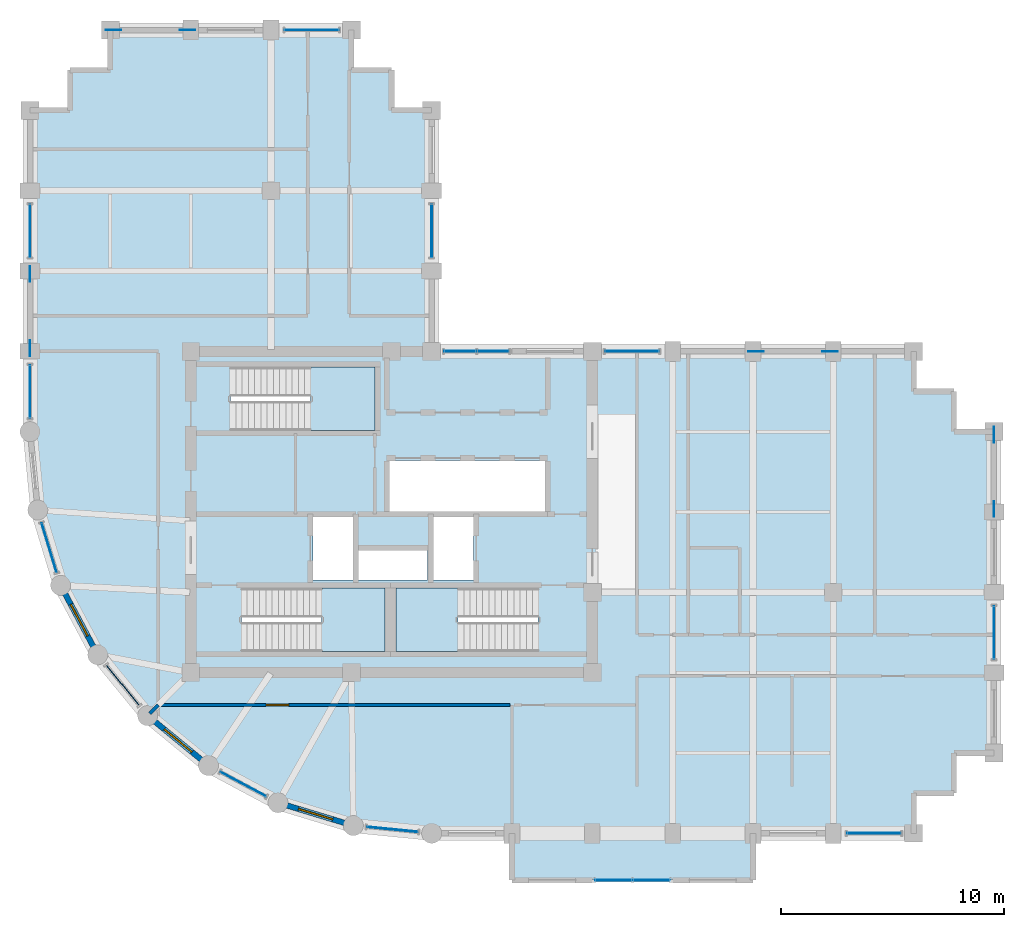
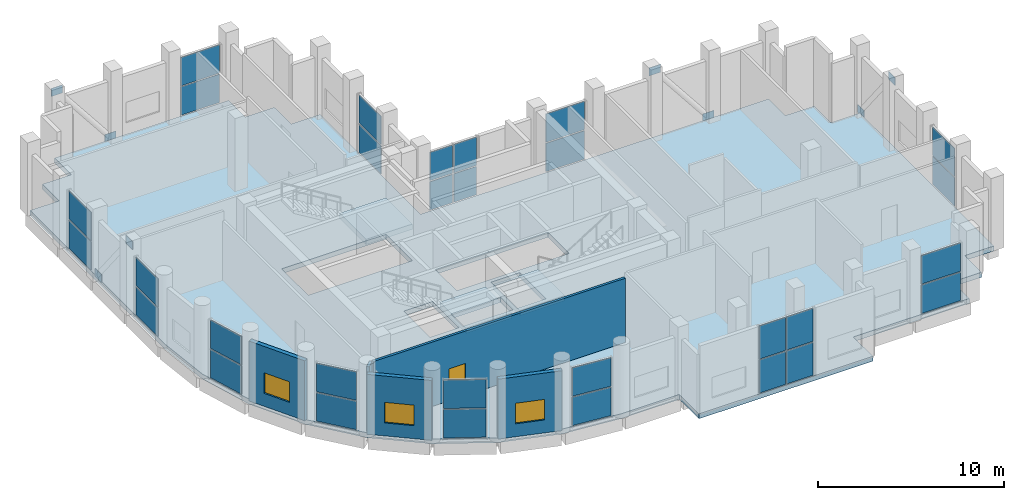
# One storey, part 12 of 16: 38 plates, 5 walls, 4 slabs, 3 windows, 1 door, 4 openings, 16 elements without a shape of their own.
"""IFC4 building model written with IfcOpenShell, lengths in metres."""

from ifc_helpers import new_model, si_unit, direction, frame, frame_2d, origin, origin_2d, place, context, subcontext, project, spatial, polyline, rectangle, outline, extrude, material, layer, layer_set, type_object, element, fill, aggregate, save


model = new_model("IFC4")

# Units and contexts
model_context = context("Model", 3, precision=1e-05, world=origin(), true_north=direction((0.0, 1.0)))
body_context = subcontext(model_context, "Body", "Model", "MODEL_VIEW")
ifc_project = project(units=[si_unit("LENGTHUNIT", "METRE"), si_unit("AREAUNIT", "SQUARE_METRE"), si_unit("VOLUMEUNIT", "CUBIC_METRE"), si_unit("PLANEANGLEUNIT", "RADIAN"), si_unit("MASSUNIT", "GRAM", prefix="KILO")], contexts=[model_context])

# Site, building, storey
site_placement = place(None, origin())
site = spatial("IfcSite", under=ifc_project, at=site_placement, CompositionType="ELEMENT")
building_placement = place(site_placement, origin())
building = spatial("IfcBuilding", under=site, at=building_placement, Name="Solnavia Interchange Tower", CompositionType="ELEMENT")
storey_placement = place(building_placement, frame((0.0, 0.0, 209.0)))
storey = spatial("IfcBuildingStorey", under=building, at=storey_placement, Name="L52", CompositionType="ELEMENT", Elevation=209.0)

# Curtain wall, plates
ifc_material_1 = material(Name="Aluminium Alloy 6063-T6", Category="aluminium")
ifc_layer_1 = layer(ifc_material_1, 0.27001953125)
ifc_layer_set_1 = layer_set([ifc_layer_1], Name="Aluminium Alloy 6063-T6")
curtain_wall_type = type_object("IfcCurtainWallType", Name="CurtainWall-SkyLobby-CTW4", PredefinedType="NOTDEFINED", material=ifc_layer_set_1)
curtain_wall_1_placement = place(storey_placement, origin())
curtain_wall_1 = element("IfcCurtainWall", 1, at=curtain_wall_1_placement, inside=storey, type_object=curtain_wall_type, Name="CTW-L52-S04 CTW-4 curtain wall", PredefinedType="NOTDEFINED")
ifc_material_2 = material(Name="Double-Glazed Low-E IGU Glass", Category="glass")
ifc_layer_2 = layer(ifc_material_2, 0.035888671875)
ifc_layer_set_2 = layer_set([ifc_layer_2], Name="Double-Glazed Low-E IGU Glass")
plate_type_1 = type_object("IfcPlateType", Name="CW-Panel-Acoustic-36", PredefinedType="CURTAIN_PANEL", material=ifc_layer_set_2)
plate_1_placement = place(storey_placement, frame((33.35009765625, 1.5, 0.06982421875), z_axis=(0.0, 0.0, 1.0), x_axis=(1.0, 0.0, 0.0)))
plate_1 = element("IfcPlate", 2, at=plate_1_placement, type_object=plate_type_1, Name="CTW-4 panel 1.1", PredefinedType="CURTAIN_PANEL", context=body_context, shape_type="SweptSolid", body=[
    extrude(rectangle(XDim=1.6201171875, YDim=0.035888671875, at=origin_2d()), origin(), (0.0, 0.0, 1.0), 2.162109375),
])
plate_2_placement = place(storey_placement, frame((33.35009765625, 1.5, 2.302001953125), z_axis=(0.0, 0.0, 1.0), x_axis=(1.0, 0.0, 0.0)))
plate_2 = element("IfcPlate", 3, at=plate_2_placement, type_object=plate_type_1, Name="CTW-4 panel 1.2", PredefinedType="CURTAIN_PANEL", context=body_context, shape_type="SweptSolid", body=[
    extrude(rectangle(XDim=1.6201171875, YDim=0.035888671875, at=origin_2d()), origin(), (0.0, 0.0, 1.0), 2.1630859375),
])
plate_3_placement = place(storey_placement, frame((35.050048828125, 1.5, 0.06982421875), z_axis=(0.0, 0.0, 1.0), x_axis=(1.0, 0.0, 0.0)))
plate_3 = element("IfcPlate", 4, at=plate_3_placement, type_object=plate_type_1, Name="CTW-4 panel 2.1", PredefinedType="CURTAIN_PANEL", context=body_context, shape_type="SweptSolid", body=[
    extrude(rectangle(XDim=1.6201171875, YDim=0.035888671875, at=origin_2d()), origin(), (0.0, 0.0, 1.0), 2.162109375),
])
plate_4_placement = place(storey_placement, frame((35.050048828125, 1.5, 2.302001953125), z_axis=(0.0, 0.0, 1.0), x_axis=(1.0, 0.0, 0.0)))
plate_4 = element("IfcPlate", 5, at=plate_4_placement, type_object=plate_type_1, Name="CTW-4 panel 2.2", PredefinedType="CURTAIN_PANEL", context=body_context, shape_type="SweptSolid", body=[
    extrude(rectangle(XDim=1.6201171875, YDim=0.035888671875, at=origin_2d()), origin(), (0.0, 0.0, 1.0), 2.1630859375),
])
aggregate(curtain_wall_1, [plate_1, plate_2, plate_3, plate_4])

curtain_wall_2_placement = place(storey_placement, origin())
curtain_wall_2 = element("IfcCurtainWall", 6, at=curtain_wall_2_placement, inside=storey, type_object=curtain_wall_type, Name="CTW-L52-S08 CTW-4 curtain wall", PredefinedType="NOTDEFINED")
plate_5_placement = place(storey_placement, frame((45.02490234375, 3.60009765625, 0.06982421875), z_axis=(0.0, 0.0, 1.0), x_axis=(1.0, 0.0, 0.0)))
plate_5 = element("IfcPlate", 7, at=plate_5_placement, type_object=plate_type_1, Name="CTW-4 panel 1.1", PredefinedType="CURTAIN_PANEL", context=body_context, shape_type="SweptSolid", body=[
    extrude(rectangle(XDim=2.409912109375, YDim=0.035888671875, at=origin_2d()), origin(), (0.0, 0.0, 1.0), 1.860107421875),
])
plate_6_placement = place(storey_placement, frame((45.02490234375, 3.60009765625, 2.0), z_axis=(0.0, 0.0, 1.0), x_axis=(1.0, 0.0, 0.0)))
plate_6 = element("IfcPlate", 8, at=plate_6_placement, type_object=plate_type_1, Name="CTW-4 panel 1.2", PredefinedType="CURTAIN_PANEL", context=body_context, shape_type="SweptSolid", body=[
    extrude(rectangle(XDim=2.409912109375, YDim=0.035888671875, at=origin_2d()), origin(), (0.0, 0.0, 1.0), 1.860107421875),
])
aggregate(curtain_wall_2, [plate_5, plate_6])

curtain_wall_3_placement = place(storey_placement, origin())
curtain_wall_3 = element("IfcCurtainWall", 9, at=curtain_wall_3_placement, inside=storey, type_object=curtain_wall_type, Name="CTW-L52-S14 CTW-4 curtain wall", PredefinedType="NOTDEFINED")
plate_7_placement = place(storey_placement, frame((50.39990234375, 12.60009765625, 0.06982421875), z_axis=(0.0, 0.0, 1.0), x_axis=(0.0, 1.0, 0.0)))
plate_7 = element("IfcPlate", 10, at=plate_7_placement, type_object=plate_type_1, Name="CTW-4 panel 1.1", PredefinedType="CURTAIN_PANEL", context=body_context, shape_type="SweptSolid", body=[
    extrude(rectangle(XDim=2.360107421875, YDim=0.035888671875, at=origin_2d()), origin(), (0.0, 0.0, 1.0), 1.860107421875),
])
plate_8_placement = place(storey_placement, frame((50.39990234375, 12.60009765625, 2.0), z_axis=(0.0, 0.0, 1.0), x_axis=(0.0, 1.0, 0.0)))
plate_8 = element("IfcPlate", 11, at=plate_8_placement, type_object=plate_type_1, Name="CTW-4 panel 1.2", PredefinedType="CURTAIN_PANEL", context=body_context, shape_type="SweptSolid", body=[
    extrude(rectangle(XDim=2.360107421875, YDim=0.035888671875, at=origin_2d()), origin(), (0.0, 0.0, 1.0), 1.860107421875),
])
aggregate(curtain_wall_3, [plate_7, plate_8])

curtain_wall_4_placement = place(storey_placement, origin())
curtain_wall_4 = element("IfcCurtainWall", 12, at=curtain_wall_4_placement, inside=storey, type_object=curtain_wall_type, Name="CTW-L52-S24 CTW-4 curtain wall", PredefinedType="NOTDEFINED")
plate_9_placement = place(storey_placement, frame((34.175048828125, 25.199951171875, 0.06982421875), z_axis=(0.0, 0.0, 1.0), x_axis=(-1.0, 0.0, 0.0)))
plate_9 = element("IfcPlate", 13, at=plate_9_placement, type_object=plate_type_1, Name="CTW-4 panel 1.1", PredefinedType="CURTAIN_PANEL", context=body_context, shape_type="SweptSolid", body=[
    extrude(rectangle(XDim=2.409912109375, YDim=0.035888671875, at=origin_2d()), origin(), (0.0, 0.0, 1.0), 1.860107421875),
])
plate_10_placement = place(storey_placement, frame((34.175048828125, 25.199951171875, 2.0), z_axis=(0.0, 0.0, 1.0), x_axis=(-1.0, 0.0, 0.0)))
plate_10 = element("IfcPlate", 14, at=plate_10_placement, type_object=plate_type_1, Name="CTW-4 panel 1.2", PredefinedType="CURTAIN_PANEL", context=body_context, shape_type="SweptSolid", body=[
    extrude(rectangle(XDim=2.409912109375, YDim=0.035888671875, at=origin_2d()), origin(), (0.0, 0.0, 1.0), 1.860107421875),
])
aggregate(curtain_wall_4, [plate_9, plate_10])

curtain_wall_5_placement = place(storey_placement, origin())
curtain_wall_5 = element("IfcCurtainWall", 15, at=curtain_wall_5_placement, inside=storey, type_object=curtain_wall_type, Name="CTW-L52-S26 CTW-4 curtain wall", PredefinedType="NOTDEFINED")
plate_11_placement = place(storey_placement, frame((27.95751953125, 25.199951171875, 0.06982421875), z_axis=(0.0, 0.0, 1.0), x_axis=(-1.0, 0.0, 0.0)))
plate_11 = element("IfcPlate", 16, at=plate_11_placement, type_object=plate_type_1, Name="CTW-4 panel 1.1", PredefinedType="CURTAIN_PANEL", context=body_context, shape_type="SweptSolid", body=[
    extrude(rectangle(XDim=1.405029296875, YDim=0.035888671875, at=origin_2d()), origin(), (0.0, 0.0, 1.0), 1.860107421875),
])
plate_12_placement = place(storey_placement, frame((27.95751953125, 25.199951171875, 2.0), z_axis=(0.0, 0.0, 1.0), x_axis=(-1.0, 0.0, 0.0)))
plate_12 = element("IfcPlate", 17, at=plate_12_placement, type_object=plate_type_1, Name="CTW-4 panel 1.2", PredefinedType="CURTAIN_PANEL", context=body_context, shape_type="SweptSolid", body=[
    extrude(rectangle(XDim=1.405029296875, YDim=0.035888671875, at=origin_2d()), origin(), (0.0, 0.0, 1.0), 1.860107421875),
])
plate_13_placement = place(storey_placement, frame((26.472412109375, 25.199951171875, 0.06982421875), z_axis=(0.0, 0.0, 1.0), x_axis=(-1.0, 0.0, 0.0)))
plate_13 = element("IfcPlate", 18, at=plate_13_placement, type_object=plate_type_1, Name="CTW-4 panel 2.1", PredefinedType="CURTAIN_PANEL", context=body_context, shape_type="SweptSolid", body=[
    extrude(rectangle(XDim=1.405029296875, YDim=0.035888671875, at=origin_2d()), origin(), (0.0, 0.0, 1.0), 1.860107421875),
])
plate_14_placement = place(storey_placement, frame((26.472412109375, 25.199951171875, 2.0), z_axis=(0.0, 0.0, 1.0), x_axis=(-1.0, 0.0, 0.0)))
plate_14 = element("IfcPlate", 19, at=plate_14_placement, type_object=plate_type_1, Name="CTW-4 panel 2.2", PredefinedType="CURTAIN_PANEL", context=body_context, shape_type="SweptSolid", body=[
    extrude(rectangle(XDim=1.405029296875, YDim=0.035888671875, at=origin_2d()), origin(), (0.0, 0.0, 1.0), 1.860107421875),
])
aggregate(curtain_wall_5, [plate_11, plate_12, plate_13, plate_14])

curtain_wall_6_placement = place(storey_placement, origin())
curtain_wall_6 = element("IfcCurtainWall", 20, at=curtain_wall_6_placement, inside=storey, type_object=curtain_wall_type, Name="CTW-L52-S28 CTW-4 curtain wall", PredefinedType="NOTDEFINED")
plate_15_placement = place(storey_placement, frame((25.199951171875, 30.60009765625, 0.06982421875), z_axis=(0.0, 0.0, 1.0), x_axis=(0.0, 1.0, 0.0)))
plate_15 = element("IfcPlate", 21, at=plate_15_placement, type_object=plate_type_1, Name="CTW-4 panel 1.1", PredefinedType="CURTAIN_PANEL", context=body_context, shape_type="SweptSolid", body=[
    extrude(rectangle(XDim=2.360107421875, YDim=0.035888671875, at=origin_2d()), origin(), (0.0, 0.0, 1.0), 1.860107421875),
])
plate_16_placement = place(storey_placement, frame((25.199951171875, 30.60009765625, 2.0), z_axis=(0.0, 0.0, 1.0), x_axis=(0.0, 1.0, 0.0)))
plate_16 = element("IfcPlate", 22, at=plate_16_placement, type_object=plate_type_1, Name="CTW-4 panel 1.2", PredefinedType="CURTAIN_PANEL", context=body_context, shape_type="SweptSolid", body=[
    extrude(rectangle(XDim=2.360107421875, YDim=0.035888671875, at=origin_2d()), origin(), (0.0, 0.0, 1.0), 1.860107421875),
])
aggregate(curtain_wall_6, [plate_15, plate_16])

curtain_wall_7_placement = place(storey_placement, origin())
curtain_wall_7 = element("IfcCurtainWall", 23, at=curtain_wall_7_placement, inside=storey, type_object=curtain_wall_type, Name="CTW-L52-S34 CTW-4 curtain wall", PredefinedType="NOTDEFINED")
plate_17_placement = place(storey_placement, frame((19.824951171875, 39.60009765625, 0.06982421875), z_axis=(0.0, 0.0, 1.0), x_axis=(-1.0, 0.0, 0.0)))
plate_17 = element("IfcPlate", 24, at=plate_17_placement, type_object=plate_type_1, Name="CTW-4 panel 1.1", PredefinedType="CURTAIN_PANEL", context=body_context, shape_type="SweptSolid", body=[
    extrude(rectangle(XDim=2.409912109375, YDim=0.035888671875, at=origin_2d()), origin(), (0.0, 0.0, 1.0), 1.860107421875),
])
plate_18_placement = place(storey_placement, frame((19.824951171875, 39.60009765625, 2.0), z_axis=(0.0, 0.0, 1.0), x_axis=(-1.0, 0.0, 0.0)))
plate_18 = element("IfcPlate", 25, at=plate_18_placement, type_object=plate_type_1, Name="CTW-4 panel 1.2", PredefinedType="CURTAIN_PANEL", context=body_context, shape_type="SweptSolid", body=[
    extrude(rectangle(XDim=2.409912109375, YDim=0.035888671875, at=origin_2d()), origin(), (0.0, 0.0, 1.0), 1.860107421875),
])
aggregate(curtain_wall_7, [plate_17, plate_18])

curtain_wall_8_placement = place(storey_placement, origin())
curtain_wall_8 = element("IfcCurtainWall", 26, at=curtain_wall_8_placement, inside=storey, type_object=curtain_wall_type, Name="CTW-L52-S42 CTW-4 curtain wall", PredefinedType="NOTDEFINED")
plate_19_placement = place(storey_placement, frame((7.199951171875, 30.60009765625, 0.06982421875), z_axis=(0.0, 0.0, 1.0), x_axis=(0.0, -1.0, 0.0)))
plate_19 = element("IfcPlate", 27, at=plate_19_placement, type_object=plate_type_1, Name="CTW-4 panel 1.1", PredefinedType="CURTAIN_PANEL", context=body_context, shape_type="SweptSolid", body=[
    extrude(rectangle(XDim=2.360107421875, YDim=0.035888671875, at=origin_2d()), origin(), (0.0, 0.0, 1.0), 1.860107421875),
])
plate_20_placement = place(storey_placement, frame((7.199951171875, 30.60009765625, 2.0), z_axis=(0.0, 0.0, 1.0), x_axis=(0.0, -1.0, 0.0)))
plate_20 = element("IfcPlate", 28, at=plate_20_placement, type_object=plate_type_1, Name="CTW-4 panel 1.2", PredefinedType="CURTAIN_PANEL", context=body_context, shape_type="SweptSolid", body=[
    extrude(rectangle(XDim=2.360107421875, YDim=0.035888671875, at=origin_2d()), origin(), (0.0, 0.0, 1.0), 1.860107421875),
])
aggregate(curtain_wall_8, [plate_19, plate_20])

curtain_wall_9_placement = place(storey_placement, origin())
curtain_wall_9 = element("IfcCurtainWall", 29, at=curtain_wall_9_placement, inside=storey, type_object=curtain_wall_type, Name="CTW-L52-S44 CTW-4 curtain wall", PredefinedType="NOTDEFINED")
plate_21_placement = place(storey_placement, frame((7.199951171875, 23.39990234375, 0.06982421875), z_axis=(0.0, 0.0, 1.0), x_axis=(0.0, -1.0, 0.0)))
plate_21 = element("IfcPlate", 30, at=plate_21_placement, type_object=plate_type_1, Name="CTW-4 panel 1.1", PredefinedType="CURTAIN_PANEL", context=body_context, shape_type="SweptSolid", body=[
    extrude(rectangle(XDim=2.360107421875, YDim=0.035888671875, at=origin_2d()), origin(), (0.0, 0.0, 1.0), 1.860107421875),
])
plate_22_placement = place(storey_placement, frame((7.199951171875, 23.39990234375, 2.0), z_axis=(0.0, 0.0, 1.0), x_axis=(0.0, -1.0, 0.0)))
plate_22 = element("IfcPlate", 31, at=plate_22_placement, type_object=plate_type_1, Name="CTW-4 panel 1.2", PredefinedType="CURTAIN_PANEL", context=body_context, shape_type="SweptSolid", body=[
    extrude(rectangle(XDim=2.360107421875, YDim=0.035888671875, at=origin_2d()), origin(), (0.0, 0.0, 1.0), 1.860107421875),
])
aggregate(curtain_wall_9, [plate_21, plate_22])

curtain_wall_10_placement = place(storey_placement, origin())
curtain_wall_10 = element("IfcCurtainWall", 32, at=curtain_wall_10_placement, inside=storey, type_object=curtain_wall_type, Name="CTW-L52-S46 CTW-4 curtain wall", PredefinedType="NOTDEFINED")
plate_23_placement = place(storey_placement, frame((8.05810546875, 16.39990234375, 0.06982421875), z_axis=(0.0, 0.0, 1.0), x_axis=(0.290299913815, -0.95693571364, 0.0)))
plate_23 = element("IfcPlate", 33, at=plate_23_placement, type_object=plate_type_1, Name="CTW-4 panel 1.1", PredefinedType="CURTAIN_PANEL", context=body_context, shape_type="SweptSolid", body=[
    extrude(rectangle(XDim=2.287841796875, YDim=0.035888671875, at=origin_2d()), origin(), (0.0, 0.0, 1.0), 1.860107421875),
])
plate_24_placement = place(storey_placement, frame((8.05810546875, 16.39990234375, 2.0), z_axis=(0.0, 0.0, 1.0), x_axis=(0.290299913815, -0.95693571364, 0.0)))
plate_24 = element("IfcPlate", 34, at=plate_24_placement, type_object=plate_type_1, Name="CTW-4 panel 1.2", PredefinedType="CURTAIN_PANEL", context=body_context, shape_type="SweptSolid", body=[
    extrude(rectangle(XDim=2.287841796875, YDim=0.035888671875, at=origin_2d()), origin(), (0.0, 0.0, 1.0), 1.860107421875),
])
aggregate(curtain_wall_10, [plate_23, plate_24])

curtain_wall_11_placement = place(storey_placement, origin())
curtain_wall_11 = element("IfcCurtainWall", 35, at=curtain_wall_11_placement, inside=storey, type_object=curtain_wall_type, Name="CTW-L52-S48 CTW-4 curtain wall", PredefinedType="NOTDEFINED")
plate_25_placement = place(storey_placement, frame((11.35302734375, 10.236083984375, 0.06982421875), z_axis=(0.0, 0.0, 1.0), x_axis=(0.634260283155, -0.773119585324, 0.0)))
plate_25 = element("IfcPlate", 36, at=plate_25_placement, type_object=plate_type_1, Name="CTW-4 panel 1.1", PredefinedType="CURTAIN_PANEL", context=body_context, shape_type="SweptSolid", body=[
    extrude(rectangle(XDim=2.28857421875, YDim=0.035888671875, at=origin_2d()), origin(), (0.0, 0.0, 1.0), 1.860107421875),
])
plate_26_placement = place(storey_placement, frame((11.35302734375, 10.236083984375, 2.0), z_axis=(0.0, 0.0, 1.0), x_axis=(0.634260283155, -0.773119585324, 0.0)))
plate_26 = element("IfcPlate", 37, at=plate_26_placement, type_object=plate_type_1, Name="CTW-4 panel 1.2", PredefinedType="CURTAIN_PANEL", context=body_context, shape_type="SweptSolid", body=[
    extrude(rectangle(XDim=2.28857421875, YDim=0.035888671875, at=origin_2d()), origin(), (0.0, 0.0, 1.0), 1.860107421875),
])
aggregate(curtain_wall_11, [plate_25, plate_26])

curtain_wall_12_placement = place(storey_placement, origin())
curtain_wall_12 = element("IfcCurtainWall", 38, at=curtain_wall_12_placement, inside=storey, type_object=curtain_wall_type, Name="CTW-L52-S50 CTW-4 curtain wall", PredefinedType="NOTDEFINED")
plate_27_placement = place(storey_placement, frame((16.756103515625, 5.802001953125, 0.06982421875), z_axis=(0.0, 0.0, 1.0), x_axis=(0.881841507156, -0.471545921683, 0.0)))
plate_27 = element("IfcPlate", 39, at=plate_27_placement, type_object=plate_type_1, Name="CTW-4 panel 1.1", PredefinedType="CURTAIN_PANEL", context=body_context, shape_type="SweptSolid", body=[
    extrude(rectangle(XDim=2.2890625, YDim=0.035888671875, at=origin_2d()), origin(), (0.0, 0.0, 1.0), 1.860107421875),
])
plate_28_placement = place(storey_placement, frame((16.756103515625, 5.802001953125, 2.0), z_axis=(0.0, 0.0, 1.0), x_axis=(0.881841507156, -0.471545921683, 0.0)))
plate_28 = element("IfcPlate", 40, at=plate_28_placement, type_object=plate_type_1, Name="CTW-4 panel 1.2", PredefinedType="CURTAIN_PANEL", context=body_context, shape_type="SweptSolid", body=[
    extrude(rectangle(XDim=2.2890625, YDim=0.035888671875, at=origin_2d()), origin(), (0.0, 0.0, 1.0), 1.860107421875),
])
aggregate(curtain_wall_12, [plate_27, plate_28])

curtain_wall_13_placement = place(storey_placement, origin())
curtain_wall_13 = element("IfcCurtainWall", 41, at=curtain_wall_13_placement, inside=storey, type_object=curtain_wall_type, Name="CTW-L52-S52 CTW-4 curtain wall", PredefinedType="NOTDEFINED")
plate_29_placement = place(storey_placement, frame((23.444091796875, 3.77294921875, 0.06982421875), z_axis=(0.0, 0.0, 1.0), x_axis=(0.995178481157, -0.098080531415, 0.0)))
plate_29 = element("IfcPlate", 42, at=plate_29_placement, type_object=plate_type_1, Name="CTW-4 panel 1.1", PredefinedType="CURTAIN_PANEL", context=body_context, shape_type="SweptSolid", body=[
    extrude(rectangle(XDim=2.2890625, YDim=0.035888671875, at=origin_2d()), origin(), (0.0, 0.0, 1.0), 1.860107421875),
])
plate_30_placement = place(storey_placement, frame((23.444091796875, 3.77294921875, 2.0), z_axis=(0.0, 0.0, 1.0), x_axis=(0.995178481157, -0.098080531415, 0.0)))
plate_30 = element("IfcPlate", 43, at=plate_30_placement, type_object=plate_type_1, Name="CTW-4 panel 1.2", PredefinedType="CURTAIN_PANEL", context=body_context, shape_type="SweptSolid", body=[
    extrude(rectangle(XDim=2.2890625, YDim=0.035888671875, at=origin_2d()), origin(), (0.0, 0.0, 1.0), 1.860107421875),
])
aggregate(curtain_wall_13, [plate_29, plate_30])

# Plates
ifc_material_3 = material(Name="Steel S460", Category="steel")
ifc_layer_3 = layer(ifc_material_3, 0.030029296875)
ifc_layer_set_3 = layer_set([ifc_layer_3], Name="Steel S460")
plate_type_2 = type_object("IfcPlateType", Name="Plate-Gusset-700x520x30", PredefinedType="USERDEFINED", material=ifc_layer_set_3)
for number, where, z_axis, x_axis, name in (
    (44, (7.199951171875, 28.659912109375, -0.080078125), (0.0, 0.0, 1.0), (0.0, -1.0, 0.0), "PLT-L52-GP01 Perimeter brace gusset plate"),
    (45, (7.199951171875, 25.340087890625, 4.110107421875), (0.0, 0.0, 1.0), (0.0, -1.0, 0.0), "PLT-L52-GP02 Perimeter brace gusset plate"),
    (46, (50.39990234375, 21.4599609375, -0.080078125), (0.0, 0.0, 1.0), (0.0, -1.0, 0.0), "PLT-L52-GP03 Perimeter brace gusset plate"),
    (47, (50.39990234375, 18.139892578125, 4.110107421875), (0.0, 0.0, 1.0), (0.0, -1.0, 0.0), "PLT-L52-GP04 Perimeter brace gusset plate"),
    (48, (14.260009765625, 39.60009765625, -0.080078125), (0.0, 0.0, 1.0), (-1.0, 0.0, 0.0), "PLT-L52-GP05 Perimeter brace gusset plate"),
    (49, (10.93994140625, 39.60009765625, 4.110107421875), (0.0, 0.0, 1.0), (-1.0, 0.0, 0.0), "PLT-L52-GP06 Perimeter brace gusset plate"),
    (50, (43.06005859375, 25.199951171875, -0.080078125), (0.0, 0.0, 1.0), (-1.0, 0.0, 0.0), "PLT-L52-GP07 Perimeter brace gusset plate"),
    (51, (39.739990234375, 25.199951171875, 4.110107421875), (0.0, 0.0, 1.0), (-1.0, 0.0, 0.0), "PLT-L52-GP08 Perimeter brace gusset plate"),
):
    element("IfcPlate", number, at=place(storey_placement, frame(where, z_axis=z_axis, x_axis=x_axis)), inside=storey, type_object=plate_type_2, Name=name, ObjectType="GUSSET PLATE", PredefinedType="USERDEFINED", context=body_context, shape_type="SweptSolid", body=[
        extrude(rectangle(XDim=0.699951171875, YDim=0.030029296875, at=origin_2d()), origin(), (0.0, 0.0, 1.0), 0.52001953125),
    ])

# Slab
ifc_material_4 = material(Name="Concrete C40/50", Category="concrete")
ifc_layer_4 = layer(ifc_material_4, 0.320068359375)
ifc_layer_set_4 = layer_set([ifc_layer_4], Name="Concrete C40/50")
slab_type_1 = type_object("IfcSlabType", Name="Slab-Special-320", PredefinedType="FLOOR", material=ifc_layer_set_4)
slab_1_placement = place(storey_placement, frame((0.0, 0.0, -0.320068359375)))
element("IfcSlab", 52, at=slab_1_placement, inside=storey, type_object=slab_type_1, Name="SLB-L52-01 Structural floor slab", PredefinedType="FLOOR", context=body_context, shape_type="SweptSolid", body=[
    extrude(outline(polyline([(25.199951171875, 3.60009765625), (28.800048828125, 3.60009765625), (28.800048828125, 1.5), (39.60009765625, 1.5), (39.60009765625, 3.60009765625), (46.800048828125, 3.60009765625), (46.800048828125, 5.39990234375), (48.60009765625, 5.39990234375), (48.60009765625, 7.199951171875), (50.39990234375, 7.199951171875), (50.39990234375, 21.60009765625), (48.60009765625, 21.60009765625), (48.60009765625, 23.39990234375), (46.800048828125, 23.39990234375), (46.800048828125, 25.199951171875), (25.199951171875, 25.199951171875), (25.199951171875, 36.0), (23.39990234375, 36.0), (23.39990234375, 37.800048828125), (21.60009765625, 37.800048828125), (21.60009765625, 39.60009765625), (10.800048828125, 39.60009765625), (10.800048828125, 37.800048828125), (9.0, 37.800048828125), (9.0, 36.0), (7.199951171875, 36.0), (7.199951171875, 21.60009765625), (7.5458984375, 18.087890625), (8.570068359375, 14.7119140625), (10.23388671875, 11.60009765625), (12.471923828125, 8.8720703125), (15.199951171875, 6.634033203125), (18.31201171875, 4.969970703125), (21.68798828125, 3.946044921875), (25.199951171875, 3.60009765625)]), holes=[polyline([(16.675048828125, 11.75), (23.10009765625, 11.75), (23.10009765625, 14.590087890625), (16.675048828125, 14.590087890625), (16.675048828125, 11.75)]), polyline([(23.60009765625, 11.75), (29.97509765625, 11.75), (29.97509765625, 14.590087890625), (23.60009765625, 14.590087890625), (23.60009765625, 11.75)]), polyline([(16.175048828125, 21.64990234375), (22.64990234375, 21.64990234375), (22.64990234375, 24.489990234375), (16.175048828125, 24.489990234375), (16.175048828125, 21.64990234375)]), polyline([(19.8798828125, 14.9599609375), (21.679931640625, 14.9599609375), (21.679931640625, 17.780029296875), (19.8798828125, 17.780029296875), (19.8798828125, 14.9599609375)]), polyline([(25.280029296875, 14.9599609375), (27.080078125, 14.9599609375), (27.080078125, 17.780029296875), (25.280029296875, 17.780029296875), (25.280029296875, 14.9599609375)]), polyline([(21.919921875, 14.9599609375), (25.02001953125, 14.9599609375), (25.02001953125, 16.280029296875), (21.919921875, 16.280029296875), (21.919921875, 14.9599609375)]), polyline([(23.300048828125, 18.02001953125), (30.280029296875, 18.02001953125), (30.280029296875, 20.300048828125), (23.300048828125, 20.300048828125), (23.300048828125, 18.02001953125)])]), origin(), (0.0, 0.0, 1.0), 0.320068359375),
])

# Stair, slab
stair_type = type_object("IfcStairType", Name="Stair-Dogleg-RC", PredefinedType="HALF_TURN_STAIR", material=ifc_material_4)
stair_1_placement = place(storey_placement, origin())
stair_1 = element("IfcStair", 53, at=stair_1_placement, inside=storey, type_object=stair_type, Name="L52 Core exit stair 1", PredefinedType="HALF_TURN_STAIR")
ifc_layer_5 = layer(ifc_material_4, 0.35009765625)
ifc_layer_set_5 = layer_set([ifc_layer_5], Name="Concrete C40/50")
slab_type_2 = type_object("IfcSlabType", Name="Slab-StairLanding-350", PredefinedType="LANDING", material=ifc_layer_set_5)
slab_2_placement = place(storey_placement, frame((0.0, 0.0, 2.050048828125)))
slab_2 = element("IfcSlab", 54, at=slab_2_placement, type_object=slab_type_2, Name="ST-1 landing 1", PredefinedType="LANDING", context=body_context, shape_type="SweptSolid", body=[
    extrude(outline(polyline([(20.26806640625, 11.75), (23.10009765625, 11.75), (23.10009765625, 14.590087890625), (20.26806640625, 14.590087890625), (20.26806640625, 11.75)])), origin(), (0.0, 0.0, 1.0), 0.349853515625),
])
aggregate(stair_1, [slab_2])

stair_2_placement = place(storey_placement, origin())
stair_2 = element("IfcStair", 55, at=stair_2_placement, inside=storey, type_object=stair_type, Name="L52 Core exit stair 2", PredefinedType="HALF_TURN_STAIR")
slab_3_placement = place(storey_placement, frame((0.0, 0.0, 2.050048828125)))
slab_3 = element("IfcSlab", 56, at=slab_3_placement, type_object=slab_type_2, Name="ST-2 landing 1", PredefinedType="LANDING", context=body_context, shape_type="SweptSolid", body=[
    extrude(outline(polyline([(23.60009765625, 11.75), (26.382080078125, 11.75), (26.382080078125, 14.590087890625), (23.60009765625, 14.590087890625), (23.60009765625, 11.75)])), origin(), (0.0, 0.0, 1.0), 0.349853515625),
])
aggregate(stair_2, [slab_3])

stair_3_placement = place(storey_placement, origin())
stair_3 = element("IfcStair", 57, at=stair_3_placement, inside=storey, type_object=stair_type, Name="L52 Core exit stair 3", PredefinedType="HALF_TURN_STAIR")
slab_4_placement = place(storey_placement, frame((0.0, 0.0, 2.050048828125)))
slab_4 = element("IfcSlab", 58, at=slab_4_placement, type_object=slab_type_2, Name="ST-3 landing 1", PredefinedType="LANDING", context=body_context, shape_type="SweptSolid", body=[
    extrude(outline(polyline([(19.76806640625, 21.64990234375), (22.64990234375, 21.64990234375), (22.64990234375, 24.489990234375), (19.76806640625, 24.489990234375), (19.76806640625, 21.64990234375)])), origin(), (0.0, 0.0, 1.0), 0.349853515625),
])
aggregate(stair_3, [slab_4])

# Wall, opening, window
ifc_layer_6 = layer(ifc_material_4, 0.25)
ifc_layer_set_6 = layer_set([ifc_layer_6], Name="Concrete C40/50")
wall_type_1 = type_object("IfcWallType", Name="Wall-ExtSpandrel-250", PredefinedType="STANDARD", material=ifc_layer_set_6)
wall_1_placement = place(storey_placement, frame((10.23388671875, 11.60009765625, 0.0), z_axis=(0.0, 0.0, 1.0), x_axis=(-0.47151087309, 0.881860247748, 0.0)))
wall_1 = element("IfcWall", 59, at=wall_1_placement, inside=storey, type_object=wall_type_1, Name="EXW-L52-47 Exterior precast spandrel wall", PredefinedType="STANDARD", context=body_context, shape_type="SweptSolid", body=[
    extrude(rectangle(XDim=3.52880859375, YDim=0.25, at=frame_2d((1.764404296875, 0.0))), origin(), (0.0, 0.0, 1.0), 3.929931640625),
])
opening_1_placement = place(wall_1_placement, frame((0.964111328125, 0.0, 0.85009765625)))
opening_1 = element("IfcOpeningElement", 60, at=opening_1_placement, cuts=wall_1, Name="Opening WIN-04", PredefinedType="OPENING", context=body_context, shape_type="SweptSolid", body=[
    extrude(rectangle(XDim=1.60009765625, YDim=1.35009765625, at=frame_2d((0.800048828125, 0.675048828125))), frame((0.0, 0.135009765625, 0.0), z_axis=(0.0, -1.0, 0.0), x_axis=(1.0, 0.0, 0.0)), (0.0, 0.0, 1.0), 0.27001953125),
])
ifc_material_5 = material(Name="Thermal-Break Aluminium & Low-E Glass", Category="aluminium")
window_type = type_object("IfcWindowType", Name="Window-Drum-1600x1350", PartitioningType="SINGLE_PANEL", PredefinedType="WINDOW", material=ifc_material_5)
window_1_placement = place(opening_1_placement, origin())
window_1 = element("IfcWindow", 61, at=window_1_placement, inside=storey, type_object=window_type, Name="WIN-L52-47 Facade ribbon window", OverallHeight=1.35009765625, OverallWidth=1.60009765625, PartitioningType="SINGLE_PANEL", PredefinedType="WINDOW", context=body_context, shape_type="SweptSolid", body=[
    extrude(rectangle(XDim=1.60009765625, YDim=1.35009765625, at=frame_2d((0.800048828125, 0.675048828125))), frame((0.0, 0.030029296875, 0.0), z_axis=(0.0, -1.0, 0.0), x_axis=(1.0, 0.0, 0.0)), (0.0, 0.0, 1.0), 0.06005859375),
])
fill(opening_1, window_1)

wall_2_placement = place(storey_placement, frame((15.199951171875, 6.634033203125, 0.0), z_axis=(0.0, 0.0, 1.0), x_axis=(-0.773121216285, 0.634258295121, 0.0)))
wall_2 = element("IfcWall", 62, at=wall_2_placement, inside=storey, type_object=wall_type_1, Name="EXW-L52-49 Exterior precast spandrel wall", PredefinedType="STANDARD", context=body_context, shape_type="SweptSolid", body=[
    extrude(rectangle(XDim=3.528564453125, YDim=0.25, at=frame_2d((1.76416015625, 0.0))), origin(), (0.0, 0.0, 1.0), 3.929931640625),
])
opening_2_placement = place(wall_2_placement, frame((0.964111328125, 0.0, 0.85009765625)))
opening_2 = element("IfcOpeningElement", 63, at=opening_2_placement, cuts=wall_2, Name="Opening WIN-04", PredefinedType="OPENING", context=body_context, shape_type="SweptSolid", body=[
    extrude(rectangle(XDim=1.60009765625, YDim=1.35009765625, at=frame_2d((0.800048828125, 0.675048828125))), frame((0.0, 0.135009765625, 0.0), z_axis=(0.0, -1.0, 0.0), x_axis=(1.0, 0.0, 0.0)), (0.0, 0.0, 1.0), 0.27001953125),
])
window_2_placement = place(opening_2_placement, origin())
window_2 = element("IfcWindow", 64, at=window_2_placement, inside=storey, type_object=window_type, Name="WIN-L52-49 Facade ribbon window", OverallHeight=1.35009765625, OverallWidth=1.60009765625, PartitioningType="SINGLE_PANEL", PredefinedType="WINDOW", context=body_context, shape_type="SweptSolid", body=[
    extrude(rectangle(XDim=1.60009765625, YDim=1.35009765625, at=frame_2d((0.800048828125, 0.675048828125))), frame((0.0, 0.030029296875, 0.0), z_axis=(0.0, -1.0, 0.0), x_axis=(1.0, 0.0, 0.0)), (0.0, 0.0, 1.0), 0.06005859375),
])
fill(opening_2, window_2)

wall_3_placement = place(storey_placement, frame((21.68798828125, 3.946044921875, 0.0), z_axis=(0.0, 0.0, 1.0), x_axis=(-0.956953367403, 0.290241714123, 0.0)))
wall_3 = element("IfcWall", 65, at=wall_3_placement, inside=storey, type_object=wall_type_1, Name="EXW-L52-51 Exterior precast spandrel wall", PredefinedType="STANDARD", context=body_context, shape_type="SweptSolid", body=[
    extrude(rectangle(XDim=3.52783203125, YDim=0.25, at=frame_2d((1.763916015625, 0.0))), origin(), (0.0, 0.0, 1.0), 3.929931640625),
])
opening_3_placement = place(wall_3_placement, frame((0.964111328125, 0.0, 0.85009765625)))
opening_3 = element("IfcOpeningElement", 66, at=opening_3_placement, cuts=wall_3, Name="Opening WIN-04", PredefinedType="OPENING", context=body_context, shape_type="SweptSolid", body=[
    extrude(rectangle(XDim=1.60009765625, YDim=1.35009765625, at=frame_2d((0.800048828125, 0.675048828125))), frame((0.0, 0.135009765625, 0.0), z_axis=(0.0, -1.0, 0.0), x_axis=(1.0, 0.0, 0.0)), (0.0, 0.0, 1.0), 0.27001953125),
])
window_3_placement = place(opening_3_placement, origin())
window_3 = element("IfcWindow", 67, at=window_3_placement, inside=storey, type_object=window_type, Name="WIN-L52-51 Facade ribbon window", OverallHeight=1.35009765625, OverallWidth=1.60009765625, PartitioningType="SINGLE_PANEL", PredefinedType="WINDOW", context=body_context, shape_type="SweptSolid", body=[
    extrude(rectangle(XDim=1.60009765625, YDim=1.35009765625, at=frame_2d((0.800048828125, 0.675048828125))), frame((0.0, 0.030029296875, 0.0), z_axis=(0.0, -1.0, 0.0), x_axis=(1.0, 0.0, 0.0)), (0.0, 0.0, 1.0), 0.06005859375),
])
fill(opening_3, window_3)

# Wall
ifc_material_6 = material(Name="Gypsum Plasterboard & Steel Stud", Category="steel")
ifc_layer_7 = layer(ifc_material_6, 0.14990234375)
ifc_layer_set_7 = layer_set([ifc_layer_7], Name="Gypsum Plasterboard & Steel Stud")
wall_type_2 = type_object("IfcWallType", Name="Wall-Partition-150", PredefinedType="PARTITIONING", material=ifc_layer_set_7)
wall_4_placement = place(storey_placement, frame((12.949951171875, 9.35009765625, 0.0), z_axis=(0.0, 0.0, 1.0), x_axis=(-0.706883613527, -0.707329878435, 0.0)))
element("IfcWall", 68, at=wall_4_placement, inside=storey, type_object=wall_type_2, Name="PTW-L52-09 Interior partition wall", PredefinedType="PARTITIONING", context=body_context, shape_type="SweptSolid", body=[
    extrude(rectangle(XDim=0.547119140625, YDim=0.14990234375, at=frame_2d((0.2734375, 0.0))), origin(), (0.0, 0.0, 1.0), 4.260009765625),
])

# Wall, opening, door
wall_5_placement = place(storey_placement, frame((13.080078125, 9.35009765625, 0.0), z_axis=(0.0, 0.0, 1.0), x_axis=(1.0, 0.0, 0.0)))
wall_5 = element("IfcWall", 69, at=wall_5_placement, inside=storey, type_object=wall_type_2, Name="PTW-L52-11 Interior partition wall", PredefinedType="PARTITIONING", context=body_context, shape_type="SweptSolid", body=[
    extrude(rectangle(XDim=15.640869140625, YDim=0.14990234375, at=frame_2d((7.8203125, 0.0))), origin(), (0.0, 0.0, 1.0), 4.219970703125),
])
opening_4_placement = place(wall_5_placement, frame((4.7060546875, 0.0, 0.0)))
opening_4 = element("IfcOpeningElement", 70, at=opening_4_placement, cuts=wall_5, Name="Opening DR-07", PredefinedType="OPENING", context=body_context, shape_type="SweptSolid", body=[
    extrude(rectangle(XDim=1.0, YDim=2.10009765625, at=frame_2d((0.5, 1.050048828125))), frame((0.0, 0.0849609375, 0.0), z_axis=(0.0, -1.0, 0.0), x_axis=(1.0, 0.0, 0.0)), (0.0, 0.0, 1.0), 0.169921875),
])
ifc_material_7 = material(Name="Timber & Acoustic Glazed Office Door", Category="wood")
door_type = type_object("IfcDoorType", Name="Door-Office-1000x2100", OperationType="SINGLE_SWING_RIGHT", PredefinedType="DOOR", material=ifc_material_7)
door_placement = place(opening_4_placement, origin())
door = element("IfcDoor", 71, at=door_placement, inside=storey, type_object=door_type, Name="DR-L52-04 Interior room door", OperationType="SINGLE_SWING_RIGHT", OverallHeight=2.10009765625, OverallWidth=1.0, PredefinedType="DOOR", context=body_context, shape_type="SweptSolid", body=[
    extrude(rectangle(XDim=1.0, YDim=2.10009765625, at=frame_2d((0.5, 1.050048828125))), frame((0.0, 0.02490234375, 0.0), z_axis=(0.0, -1.0, 0.0), x_axis=(1.0, 0.0, 0.0)), (0.0, 0.0, 1.0), 0.050048828125),
])
fill(opening_4, door)

save(model, "model.ifc")
